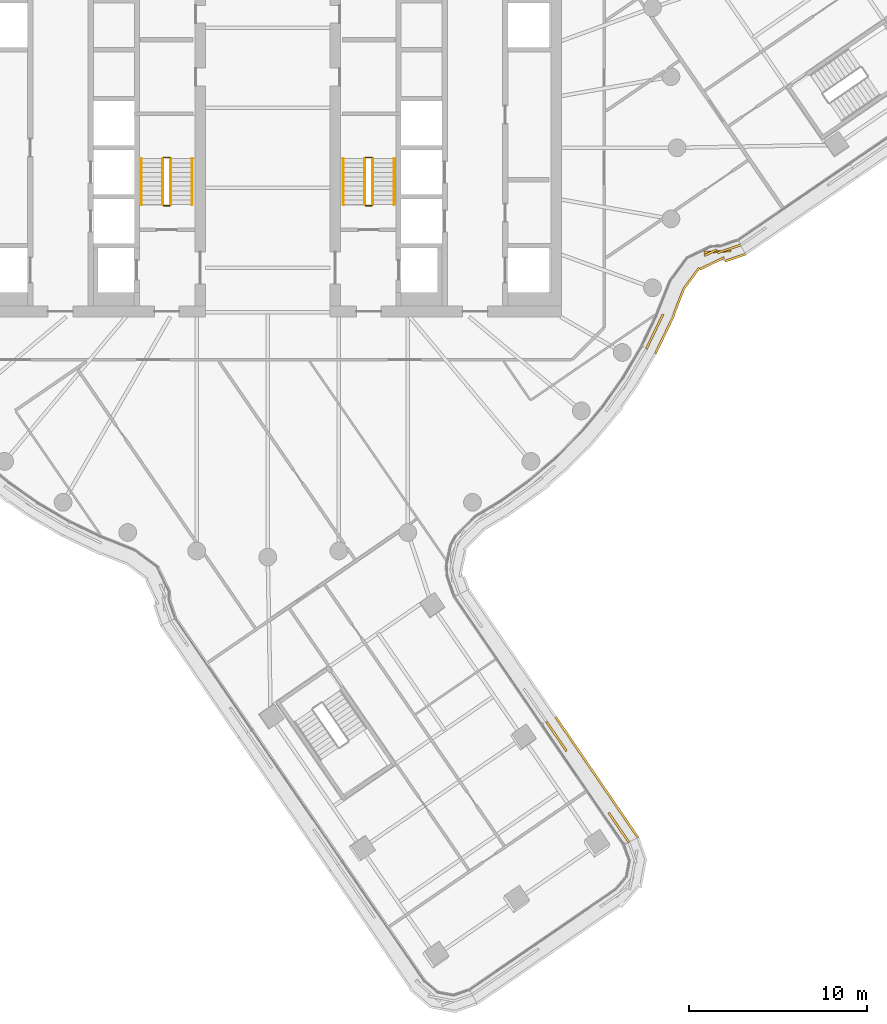
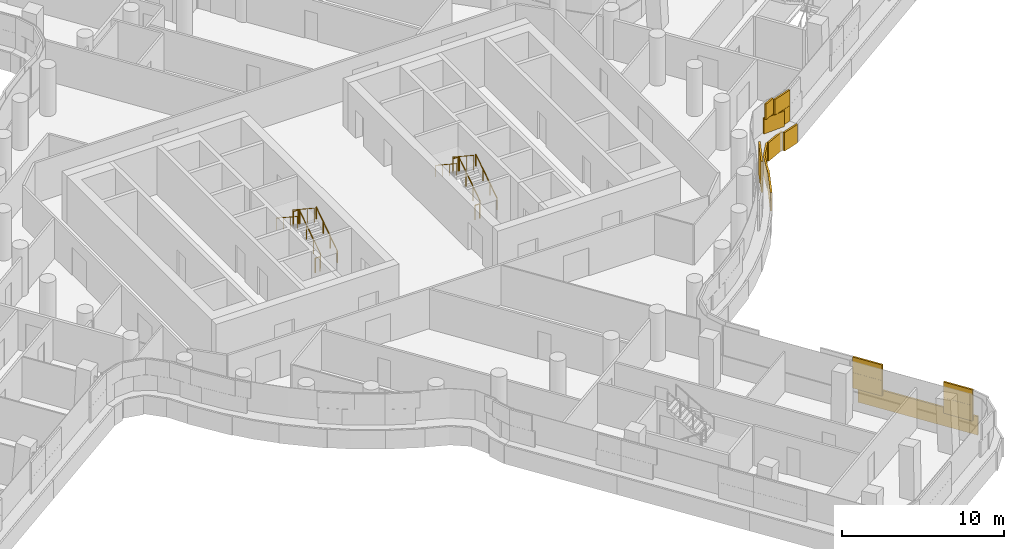
# One storey, part 30 of 33: 12 railings, 2 coverings.
"""IFC4 building model written with IfcOpenShell, lengths in metres."""

from ifc_helpers import new_model, si_unit, direction, frame, origin, origin_2d, place, context, subcontext, project, spatial, rectangle, circle, extrude, material, layer, layer_set, type_object, element, save


model = new_model("IFC4")

# Units and contexts
model_context = context("Model", 3, precision=1e-05, world=origin(), true_north=direction((0.0, 1.0)))
body_context = subcontext(model_context, "Body", "Model", "MODEL_VIEW")
ifc_project = project(units=[si_unit("LENGTHUNIT", "METRE"), si_unit("AREAUNIT", "SQUARE_METRE"), si_unit("VOLUMEUNIT", "CUBIC_METRE"), si_unit("PLANEANGLEUNIT", "RADIAN"), si_unit("MASSUNIT", "GRAM", prefix="KILO")], contexts=[model_context])

# Site, building, storey
site_placement = place(None, origin())
site = spatial("IfcSite", under=ifc_project, at=site_placement, CompositionType="ELEMENT")
building_placement = place(site_placement, origin())
building = spatial("IfcBuilding", under=site, at=building_placement, Name="Tamarind Cross Interchange Tower", CompositionType="ELEMENT")
storey_placement = place(building_placement, frame((0.0, 0.0, 159.25)))
storey = spatial("IfcBuildingStorey", under=building, at=storey_placement, Name="L39", CompositionType="ELEMENT", Elevation=159.25)

# Railings
ifc_material_1 = material(Name="Stair guard")
railing_type_1 = type_object("IfcRailingType", Name="Stair guard", PredefinedType="GUARDRAIL", material=ifc_material_1)
railing_1_placement = place(storey_placement, frame((-5.449951171875, -3.199951171875, 0.17041015625)))
element("IfcRailing", 1, at=railing_1_placement, inside=storey, type_object=railing_type_1, Name="L39 ST1 stair guard 1", PredefinedType="GUARDRAIL", context=body_context, shape_type="SweptSolid", body=[
    extrude(circle(Radius=0.02392578125, at=origin_2d()), frame((0.0, 0.0, 1.076171875), z_axis=(0.0, 0.836278606002, 0.548304744775), x_axis=(-1.0, 0.0, 0.0)), (0.0, 0.0, 1.0), 3.10888671875),
    extrude(circle(Radius=0.02099609375, at=origin_2d()), origin(), (0.0, 0.0, 1.0), 1.052001953125),
    extrude(circle(Radius=0.02099609375, at=origin_2d()), frame((0.0, 0.86669921875, 0.568115234375)), (0.0, 0.0, 1.0), 1.052001953125),
    extrude(circle(Radius=0.02099609375, at=origin_2d()), frame((0.0, 1.733154296875, 1.136474609375)), (0.0, 0.0, 1.0), 1.052001953125),
    extrude(circle(Radius=0.02099609375, at=origin_2d()), frame((0.0, 2.599853515625, 1.70458984375)), (0.0, 0.0, 1.0), 1.052001953125),
])
railing_2_placement = place(storey_placement, frame((-5.5, -0.550048828125, 1.875)))
element("IfcRailing", 2, at=railing_2_placement, inside=storey, type_object=railing_type_1, Name="L39 ST1 stair guard 2", PredefinedType="GUARDRAIL", context=body_context, shape_type="SweptSolid", body=[
    extrude(circle(Radius=0.02392578125, at=origin_2d()), frame((0.0, 0.0, 1.076171875), z_axis=(-1.0, 0.0, 0.0), x_axis=(0.0, -1.0, 0.0)), (0.0, 0.0, 1.0), 0.35009765625),
    extrude(circle(Radius=0.02099609375, at=origin_2d()), origin(), (0.0, 0.0, 1.0), 1.052001953125),
    extrude(circle(Radius=0.02099609375, at=origin_2d()), frame((-0.35009765625, 0.0, 0.0)), (0.0, 0.0, 1.0), 1.052001953125),
])
railing_3_placement = place(storey_placement, frame((-5.89990234375, -0.60009765625, 2.04541015625)))
element("IfcRailing", 3, at=railing_3_placement, inside=storey, type_object=railing_type_1, Name="L39 ST1 stair guard 3", PredefinedType="GUARDRAIL", context=body_context, shape_type="SweptSolid", body=[
    extrude(circle(Radius=0.02392578125, at=origin_2d()), frame((0.0, 0.0, 1.076171875), z_axis=(0.0, -0.836278606002, 0.548304744775), x_axis=(1.0, 0.0, 0.0)), (0.0, 0.0, 1.0), 3.10888671875),
    extrude(circle(Radius=0.02099609375, at=origin_2d()), origin(), (0.0, 0.0, 1.0), 1.052001953125),
    extrude(circle(Radius=0.02099609375, at=origin_2d()), frame((0.0, -0.86669921875, 0.568115234375)), (0.0, 0.0, 1.0), 1.052001953125),
    extrude(circle(Radius=0.02099609375, at=origin_2d()), frame((0.0, -1.733154296875, 1.136474609375)), (0.0, 0.0, 1.0), 1.052001953125),
    extrude(circle(Radius=0.02099609375, at=origin_2d()), frame((0.0, -2.599853515625, 1.70458984375)), (0.0, 0.0, 1.0), 1.052001953125),
])
railing_4_placement = place(storey_placement, frame((-5.5, -3.25, 0.0)))
element("IfcRailing", 4, at=railing_4_placement, inside=storey, type_object=railing_type_1, Name="L39 ST1 stair guard 4", PredefinedType="GUARDRAIL", context=body_context, shape_type="SweptSolid", body=[
    extrude(circle(Radius=0.02392578125, at=origin_2d()), frame((0.0, 0.0, 1.076171875), z_axis=(-1.0, 0.0, 0.0), x_axis=(0.0, -1.0, 0.0)), (0.0, 0.0, 1.0), 0.35009765625),
    extrude(circle(Radius=0.02099609375, at=origin_2d()), origin(), (0.0, 0.0, 1.0), 1.052001953125),
    extrude(circle(Radius=0.02099609375, at=origin_2d()), frame((-0.35009765625, 0.0, 0.0)), (0.0, 0.0, 1.0), 1.052001953125),
])
railing_5_placement = place(storey_placement, frame((5.89990234375, -3.199951171875, 0.17041015625)))
element("IfcRailing", 5, at=railing_5_placement, inside=storey, type_object=railing_type_1, Name="L39 ST2 stair guard 1", PredefinedType="GUARDRAIL", context=body_context, shape_type="SweptSolid", body=[
    extrude(circle(Radius=0.02392578125, at=origin_2d()), frame((0.0, 0.0, 1.076171875), z_axis=(0.0, 0.836278606002, 0.548304744775), x_axis=(-1.0, 0.0, 0.0)), (0.0, 0.0, 1.0), 3.10888671875),
    extrude(circle(Radius=0.02099609375, at=origin_2d()), origin(), (0.0, 0.0, 1.0), 1.052001953125),
    extrude(circle(Radius=0.02099609375, at=origin_2d()), frame((0.0, 0.86669921875, 0.568115234375)), (0.0, 0.0, 1.0), 1.052001953125),
    extrude(circle(Radius=0.02099609375, at=origin_2d()), frame((0.0, 1.733154296875, 1.136474609375)), (0.0, 0.0, 1.0), 1.052001953125),
    extrude(circle(Radius=0.02099609375, at=origin_2d()), frame((0.0, 2.599853515625, 1.70458984375)), (0.0, 0.0, 1.0), 1.052001953125),
])
railing_6_placement = place(storey_placement, frame((5.85009765625, -0.550048828125, 1.875)))
element("IfcRailing", 6, at=railing_6_placement, inside=storey, type_object=railing_type_1, Name="L39 ST2 stair guard 2", PredefinedType="GUARDRAIL", context=body_context, shape_type="SweptSolid", body=[
    extrude(circle(Radius=0.02392578125, at=origin_2d()), frame((0.0, 0.0, 1.076171875), z_axis=(-1.0, 0.0, 0.0), x_axis=(0.0, -1.0, 0.0)), (0.0, 0.0, 1.0), 0.35009765625),
    extrude(circle(Radius=0.02099609375, at=origin_2d()), origin(), (0.0, 0.0, 1.0), 1.052001953125),
    extrude(circle(Radius=0.02099609375, at=origin_2d()), frame((-0.35009765625, 0.0, 0.0)), (0.0, 0.0, 1.0), 1.052001953125),
])
railing_7_placement = place(storey_placement, frame((5.449951171875, -0.60009765625, 2.04541015625)))
element("IfcRailing", 7, at=railing_7_placement, inside=storey, type_object=railing_type_1, Name="L39 ST2 stair guard 3", PredefinedType="GUARDRAIL", context=body_context, shape_type="SweptSolid", body=[
    extrude(circle(Radius=0.02392578125, at=origin_2d()), frame((0.0, 0.0, 1.076171875), z_axis=(0.0, -0.836278606002, 0.548304744775), x_axis=(1.0, 0.0, 0.0)), (0.0, 0.0, 1.0), 3.10888671875),
    extrude(circle(Radius=0.02099609375, at=origin_2d()), origin(), (0.0, 0.0, 1.0), 1.052001953125),
    extrude(circle(Radius=0.02099609375, at=origin_2d()), frame((0.0, -0.86669921875, 0.568115234375)), (0.0, 0.0, 1.0), 1.052001953125),
    extrude(circle(Radius=0.02099609375, at=origin_2d()), frame((0.0, -1.733154296875, 1.136474609375)), (0.0, 0.0, 1.0), 1.052001953125),
    extrude(circle(Radius=0.02099609375, at=origin_2d()), frame((0.0, -2.599853515625, 1.70458984375)), (0.0, 0.0, 1.0), 1.052001953125),
])
railing_8_placement = place(storey_placement, frame((5.85009765625, -3.25, 0.0)))
element("IfcRailing", 8, at=railing_8_placement, inside=storey, type_object=railing_type_1, Name="L39 ST2 stair guard 4", PredefinedType="GUARDRAIL", context=body_context, shape_type="SweptSolid", body=[
    extrude(circle(Radius=0.02392578125, at=origin_2d()), frame((0.0, 0.0, 1.076171875), z_axis=(-1.0, 0.0, 0.0), x_axis=(0.0, -1.0, 0.0)), (0.0, 0.0, 1.0), 0.35009765625),
    extrude(circle(Radius=0.02099609375, at=origin_2d()), origin(), (0.0, 0.0, 1.0), 1.052001953125),
    extrude(circle(Radius=0.02099609375, at=origin_2d()), frame((-0.35009765625, 0.0, 0.0)), (0.0, 0.0, 1.0), 1.052001953125),
])
ifc_material_2 = material(Name="Stair handrail")
railing_type_2 = type_object("IfcRailingType", Name="Stair handrail", PredefinedType="HANDRAIL", material=ifc_material_2)
railing_9_placement = place(storey_placement, frame((-4.25, -3.199951171875, 0.17041015625)))
element("IfcRailing", 9, at=railing_9_placement, inside=storey, type_object=railing_type_2, Name="L39 ST1 stair handrail 1", PredefinedType="HANDRAIL", context=body_context, shape_type="SweptSolid", body=[
    extrude(circle(Radius=0.02392578125, at=origin_2d()), frame((0.0, 0.0, 0.8759765625), z_axis=(0.0, 0.836278606002, 0.548304744775), x_axis=(-1.0, 0.0, 0.0)), (0.0, 0.0, 1.0), 3.10888671875),
    extrude(circle(Radius=0.02099609375, at=origin_2d()), origin(), (0.0, 0.0, 1.0), 0.851806640625),
    extrude(circle(Radius=0.02099609375, at=origin_2d()), frame((0.0, 0.86669921875, 0.568115234375)), (0.0, 0.0, 1.0), 0.851806640625),
    extrude(circle(Radius=0.02099609375, at=origin_2d()), frame((0.0, 1.733154296875, 1.136474609375)), (0.0, 0.0, 1.0), 0.851806640625),
    extrude(circle(Radius=0.02099609375, at=origin_2d()), frame((0.0, 2.599853515625, 1.70458984375)), (0.0, 0.0, 1.0), 0.851806640625),
])
railing_10_placement = place(storey_placement, frame((-7.10009765625, -0.60009765625, 2.04541015625)))
element("IfcRailing", 10, at=railing_10_placement, inside=storey, type_object=railing_type_2, Name="L39 ST1 stair handrail 2", PredefinedType="HANDRAIL", context=body_context, shape_type="SweptSolid", body=[
    extrude(circle(Radius=0.02392578125, at=origin_2d()), frame((0.0, 0.0, 0.8759765625), z_axis=(0.0, -0.836278606002, 0.548304744775), x_axis=(1.0, 0.0, 0.0)), (0.0, 0.0, 1.0), 3.10888671875),
    extrude(circle(Radius=0.02099609375, at=origin_2d()), origin(), (0.0, 0.0, 1.0), 0.851806640625),
    extrude(circle(Radius=0.02099609375, at=origin_2d()), frame((0.0, -0.86669921875, 0.568115234375)), (0.0, 0.0, 1.0), 0.851806640625),
    extrude(circle(Radius=0.02099609375, at=origin_2d()), frame((0.0, -1.733154296875, 1.136474609375)), (0.0, 0.0, 1.0), 0.851806640625),
    extrude(circle(Radius=0.02099609375, at=origin_2d()), frame((0.0, -2.599853515625, 1.70458984375)), (0.0, 0.0, 1.0), 0.851806640625),
])
railing_11_placement = place(storey_placement, frame((7.10009765625, -3.199951171875, 0.17041015625)))
element("IfcRailing", 11, at=railing_11_placement, inside=storey, type_object=railing_type_2, Name="L39 ST2 stair handrail 1", PredefinedType="HANDRAIL", context=body_context, shape_type="SweptSolid", body=[
    extrude(circle(Radius=0.02392578125, at=origin_2d()), frame((0.0, 0.0, 0.8759765625), z_axis=(0.0, 0.836278606002, 0.548304744775), x_axis=(-1.0, 0.0, 0.0)), (0.0, 0.0, 1.0), 3.10888671875),
    extrude(circle(Radius=0.02099609375, at=origin_2d()), origin(), (0.0, 0.0, 1.0), 0.851806640625),
    extrude(circle(Radius=0.02099609375, at=origin_2d()), frame((0.0, 0.86669921875, 0.568115234375)), (0.0, 0.0, 1.0), 0.851806640625),
    extrude(circle(Radius=0.02099609375, at=origin_2d()), frame((0.0, 1.733154296875, 1.136474609375)), (0.0, 0.0, 1.0), 0.851806640625),
    extrude(circle(Radius=0.02099609375, at=origin_2d()), frame((0.0, 2.599853515625, 1.70458984375)), (0.0, 0.0, 1.0), 0.851806640625),
])
railing_12_placement = place(storey_placement, frame((4.25, -0.60009765625, 2.04541015625)))
element("IfcRailing", 12, at=railing_12_placement, inside=storey, type_object=railing_type_2, Name="L39 ST2 stair handrail 2", PredefinedType="HANDRAIL", context=body_context, shape_type="SweptSolid", body=[
    extrude(circle(Radius=0.02392578125, at=origin_2d()), frame((0.0, 0.0, 0.8759765625), z_axis=(0.0, -0.836278606002, 0.548304744775), x_axis=(1.0, 0.0, 0.0)), (0.0, 0.0, 1.0), 3.10888671875),
    extrude(circle(Radius=0.02099609375, at=origin_2d()), origin(), (0.0, 0.0, 1.0), 0.851806640625),
    extrude(circle(Radius=0.02099609375, at=origin_2d()), frame((0.0, -0.86669921875, 0.568115234375)), (0.0, 0.0, 1.0), 0.851806640625),
    extrude(circle(Radius=0.02099609375, at=origin_2d()), frame((0.0, -1.733154296875, 1.136474609375)), (0.0, 0.0, 1.0), 0.851806640625),
    extrude(circle(Radius=0.02099609375, at=origin_2d()), frame((0.0, -2.599853515625, 1.70458984375)), (0.0, 0.0, 1.0), 0.851806640625),
])

# Coverings
ifc_material_3 = material(Name="Terracotta", Category="masonry")
ifc_layer = layer(ifc_material_3, 0.1201171875)
ifc_layer_set = layer_set([ifc_layer], Name="Terracotta")
covering_type = type_object("IfcCoveringType", Name="Terracotta baguette screen unit", PredefinedType="MOLDING", material=ifc_layer_set)
covering_1_placement = place(storey_placement, origin())
element("IfcCovering", 13, at=covering_1_placement, inside=storey, type_object=covering_type, Name="SCR-L39-05-00", PredefinedType="MOLDING", context=body_context, shape_type="SweptSolid", body=[
    extrude(rectangle(XDim=0.760009765625, YDim=0.1201171875, at=origin_2d()), frame((20.07177734375, -38.702392578125, 1.404052734375), z_axis=(0.0, 0.0, 1.0), x_axis=(-0.564300572341, 0.825569418072, 0.0)), (0.0, 0.0, 1.0), 1.1669921875),
    extrude(rectangle(XDim=1.2568359375, YDim=0.1201171875, at=origin_2d()), frame((19.50830078125, -37.8779296875, 1.404052734375), z_axis=(0.0, 0.0, 1.0), x_axis=(-0.564300572341, 0.825569418072, 0.0)), (0.0, 0.0, 1.0), 1.1669921875),
    extrude(rectangle(XDim=0.563232421875, YDim=0.1201171875, at=origin_2d()), frame((16.63037109375, -33.667724609375, 1.404052734375), z_axis=(0.0, 0.0, 1.0), x_axis=(-0.564300572341, 0.825569418072, 0.0)), (0.0, 0.0, 1.0), 1.1669921875),
    extrude(rectangle(XDim=1.45361328125, YDim=0.1201171875, at=origin_2d()), frame((16.06689453125, -32.84326171875, 1.404052734375), z_axis=(0.0, 0.0, 1.0), x_axis=(-0.564300572341, 0.825569418072, 0.0)), (0.0, 0.0, 1.0), 1.1669921875),
    extrude(rectangle(XDim=1.510009765625, YDim=0.1201171875, at=origin_2d()), frame((19.860107421875, -38.392578125, 2.5791015625), z_axis=(0.0, 0.0, 1.0), x_axis=(-0.564300572341, 0.825569418072, 0.0)), (0.0, 0.0, 1.0), 1.1669921875),
    extrude(rectangle(XDim=0.5068359375, YDim=0.1201171875, at=origin_2d()), frame((19.296630859375, -37.568359375, 2.5791015625), z_axis=(0.0, 0.0, 1.0), x_axis=(-0.564300572341, 0.825569418072, 0.0)), (0.0, 0.0, 1.0), 1.1669921875),
    extrude(rectangle(XDim=1.313232421875, YDim=0.1201171875, at=origin_2d()), frame((16.418701171875, -33.35791015625, 2.5791015625), z_axis=(0.0, 0.0, 1.0), x_axis=(-0.564300572341, 0.825569418072, 0.0)), (0.0, 0.0, 1.0), 1.1669921875),
    extrude(rectangle(XDim=0.70361328125, YDim=0.1201171875, at=origin_2d()), frame((15.855224609375, -32.53369140625, 2.5791015625), z_axis=(0.0, 0.0, 1.0), x_axis=(-0.564300572341, 0.825569418072, 0.0)), (0.0, 0.0, 1.0), 1.1669921875),
    extrude(rectangle(XDim=0.760009765625, YDim=0.1201171875, at=origin_2d()), frame((20.5849609375, -38.43603515625, 0.00390625), z_axis=(0.0, 0.0, 1.0), x_axis=(-0.564300572341, 0.825569418072, 0.0)), (0.0, 0.0, 1.0), 1.39208984375),
    extrude(rectangle(XDim=1.52001953125, YDim=0.1201171875, at=origin_2d()), frame((19.952880859375, -37.511474609375, 0.00390625), z_axis=(0.0, 0.0, 1.0), x_axis=(-0.564300572341, 0.825569418072, 0.0)), (0.0, 0.0, 1.0), 1.39208984375),
    extrude(rectangle(XDim=1.52001953125, YDim=0.1201171875, at=origin_2d()), frame((19.1064453125, -36.273193359375, 0.00390625), z_axis=(0.0, 0.0, 1.0), x_axis=(-0.564300572341, 0.825569418072, 0.0)), (0.0, 0.0, 1.0), 1.39208984375),
    extrude(rectangle(XDim=1.52001953125, YDim=0.1201171875, at=origin_2d()), frame((18.260009765625, -35.03466796875, 0.00390625), z_axis=(0.0, 0.0, 1.0), x_axis=(-0.564300572341, 0.825569418072, 0.0)), (0.0, 0.0, 1.0), 1.39208984375),
    extrude(rectangle(XDim=1.52001953125, YDim=0.1201171875, at=origin_2d()), frame((17.41357421875, -33.79638671875, 0.00390625), z_axis=(0.0, 0.0, 1.0), x_axis=(-0.564300572341, 0.825569418072, 0.0)), (0.0, 0.0, 1.0), 1.39208984375),
    extrude(rectangle(XDim=1.4521484375, YDim=0.1201171875, at=origin_2d()), frame((16.58642578125, -32.5859375, 0.00390625), z_axis=(0.0, 0.0, 1.0), x_axis=(-0.564300572341, 0.825569418072, 0.0)), (0.0, 0.0, 1.0), 1.39208984375),
])
covering_2_placement = place(storey_placement, origin())
element("IfcCovering", 14, at=covering_2_placement, inside=storey, type_object=covering_type, Name="SCR-L39-06-01", PredefinedType="MOLDING", context=body_context, shape_type="SweptSolid", body=[
    extrude(rectangle(XDim=0.378173828125, YDim=0.1201171875, at=origin_2d()), frame((21.351806640625, -11.124755859375, 1.404052734375), z_axis=(0.0, 0.0, 1.0), x_axis=(0.435326231914, 0.900272776334, 0.0)), (0.0, 0.0, 1.0), 1.1669921875),
    extrude(rectangle(XDim=1.52001953125, YDim=0.1201171875, at=origin_2d()), frame((21.758544921875, -10.28369140625, 1.404052734375), z_axis=(0.0, 0.0, 1.0), x_axis=(0.435326231914, 0.900272776334, 0.0)), (0.0, 0.0, 1.0), 1.1669921875),
    extrude(rectangle(XDim=1.52001953125, YDim=0.1201171875, at=origin_2d()), frame((25.2578125, -5.8330078125, 1.404052734375), z_axis=(0.0, 0.0, 1.0), x_axis=(0.998556487896, 0.053711641951, 0.0)), (0.0, 0.0, 1.0), 1.1669921875),
    extrude(rectangle(XDim=0.631591796875, YDim=0.1201171875, at=origin_2d()), frame((26.27587890625, -5.5625, 1.404052734375), z_axis=(0.0, 0.0, 1.0), x_axis=(0.946769189573, 0.321913189658, 0.0)), (0.0, 0.0, 1.0), 1.1669921875),
    extrude(rectangle(XDim=1.128173828125, YDim=0.1201171875, at=origin_2d()), frame((21.51513671875, -10.787109375, 2.5791015625), z_axis=(0.0, 0.0, 1.0), x_axis=(0.435326231914, 0.900272776334, 0.0)), (0.0, 0.0, 1.0), 1.1669921875),
    extrude(rectangle(XDim=1.03662109375, YDim=0.1201171875, at=origin_2d()), frame((21.98193359375, -9.821533203125, 2.5791015625), z_axis=(0.0, 0.0, 1.0), x_axis=(0.435326231914, 0.900272776334, 0.0)), (0.0, 0.0, 1.0), 1.1669921875),
    extrude(rectangle(XDim=0.783203125, YDim=0.1201171875, at=origin_2d()), frame((24.8818359375, -5.8935546875, 2.5791015625), z_axis=(0.0, 0.0, 1.0), x_axis=(0.900487694901, 0.434881491135, 0.0)), (0.0, 0.0, 1.0), 1.1669921875),
    extrude(rectangle(XDim=1.381591796875, YDim=0.1201171875, at=origin_2d()), frame((25.9208984375, -5.68310546875, 2.5791015625), z_axis=(0.0, 0.0, 1.0), x_axis=(0.946769189573, 0.321913189658, 0.0)), (0.0, 0.0, 1.0), 1.1669921875),
    extrude(rectangle(XDim=0.93017578125, YDim=0.1201171875, at=origin_2d()), frame((21.9814453125, -11.14111328125, 0.00390625), z_axis=(0.0, 0.0, 1.0), x_axis=(0.435326231914, 0.900272776334, 0.0)), (0.0, 0.0, 1.0), 1.39208984375),
    extrude(rectangle(XDim=1.52001953125, YDim=0.1201171875, at=origin_2d()), frame((22.506103515625, -10.056396484375, 0.00390625), z_axis=(0.0, 0.0, 1.0), x_axis=(0.435326231914, 0.900272776334, 0.0)), (0.0, 0.0, 1.0), 1.39208984375),
    extrude(rectangle(XDim=1.52001953125, YDim=0.1201171875, at=origin_2d()), frame((23.0791015625, -8.670654296875, 0.00390625), z_axis=(0.0, 0.0, 1.0), x_axis=(0.370176550951, 0.928961420688, 0.0)), (0.0, 0.0, 1.0), 1.39208984375),
    extrude(rectangle(XDim=1.52001953125, YDim=0.1201171875, at=origin_2d()), frame((23.786376953125, -7.362060546875, 0.00390625), z_axis=(0.0, 0.0, 1.0), x_axis=(0.597125508992, 0.80214782086, 0.0)), (0.0, 0.0, 1.0), 1.39208984375),
    extrude(rectangle(XDim=1.52001953125, YDim=0.1201171875, at=origin_2d()), frame((24.958740234375, -6.493896484375, 0.00390625), z_axis=(0.0, 0.0, 1.0), x_axis=(0.900487694901, 0.434881491135, 0.0)), (0.0, 0.0, 1.0), 1.39208984375),
    extrude(rectangle(XDim=1.21728515625, YDim=0.1201171875, at=origin_2d()), frame((26.253662109375, -6.17626953125, 0.00390625), z_axis=(0.0, 0.0, 1.0), x_axis=(0.946769189573, 0.321913189658, 0.0)), (0.0, 0.0, 1.0), 1.39208984375),
])

save(model, "model.ifc")
